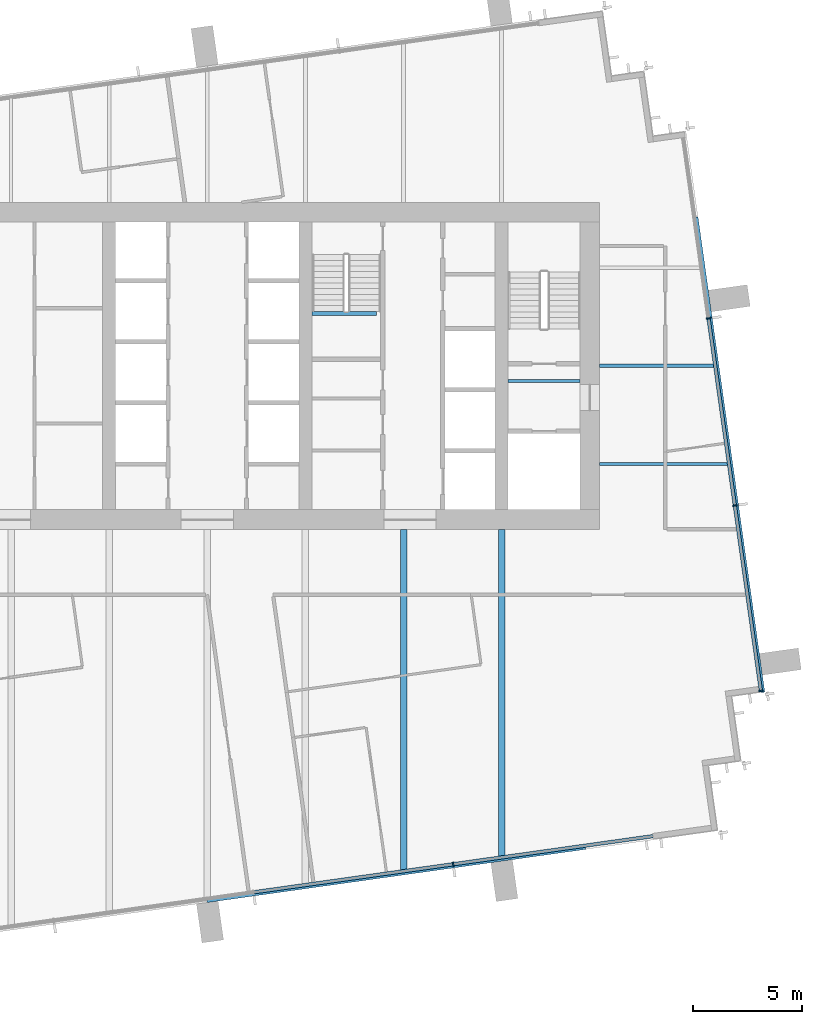
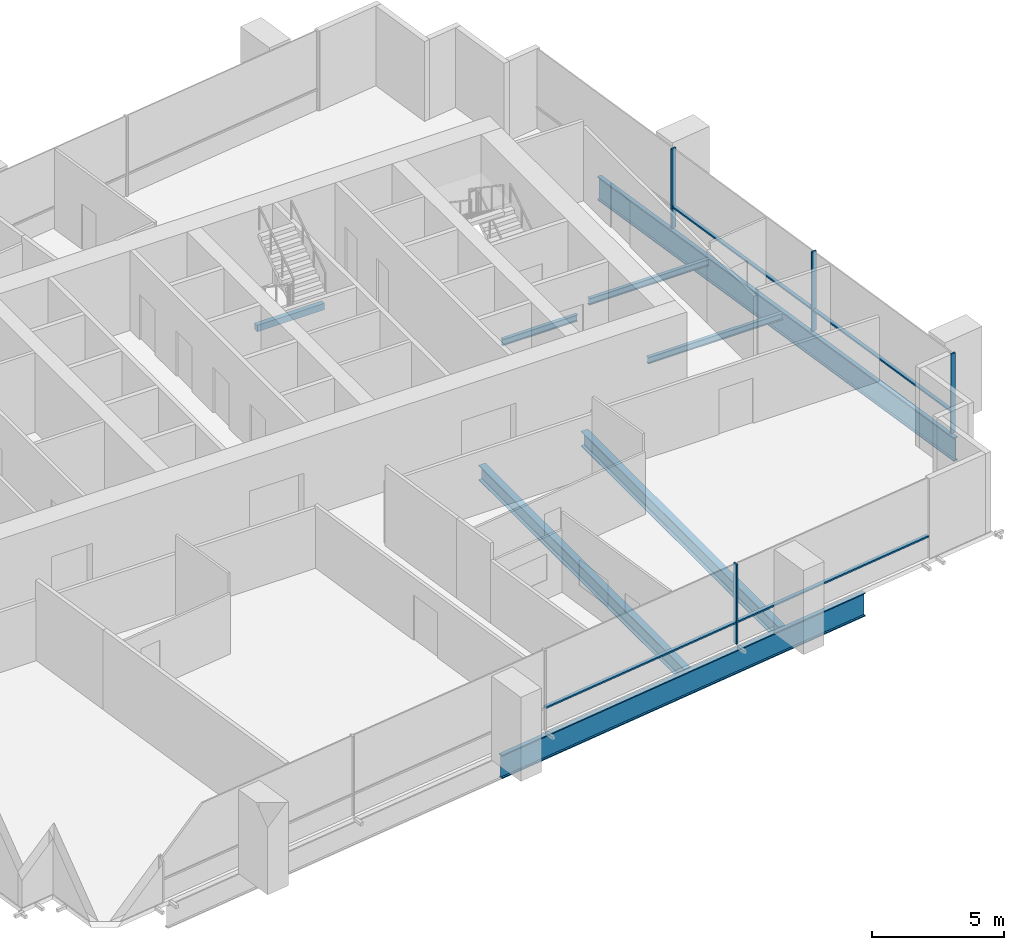
# One storey, part 4 of 12: 8 beams, 8 members, 2 elements without a shape of their own.
"""IFC4 building model written with IfcOpenShell, lengths in metres."""

from ifc_helpers import new_model, si_unit, direction, frame, origin, origin_2d, place, context, subcontext, project, spatial, rectangle, i_section, extrude, material, layer, layer_set, material_profile, profile_set, type_object, element, aggregate, save


model = new_model("IFC4")

# Units and contexts
model_context = context("Model", 3, precision=1e-05, world=origin(), true_north=direction((0.0, 1.0)))
body_context = subcontext(model_context, "Body", "Model", "MODEL_VIEW")
ifc_project = project(units=[si_unit("LENGTHUNIT", "METRE"), si_unit("AREAUNIT", "SQUARE_METRE"), si_unit("VOLUMEUNIT", "CUBIC_METRE"), si_unit("PLANEANGLEUNIT", "RADIAN"), si_unit("MASSUNIT", "GRAM", prefix="KILO")], contexts=[model_context])

# Site, building, storey
site_placement = place(None, origin())
site = spatial("IfcSite", under=ifc_project, at=site_placement, CompositionType="ELEMENT")
building_placement = place(site_placement, origin())
building = spatial("IfcBuilding", under=site, at=building_placement, Name="Rattan Terrace Tower", CompositionType="ELEMENT")
storey_placement = place(building_placement, frame((0.0, 0.0, 282.39990234375)))
storey = spatial("IfcBuildingStorey", under=building, at=storey_placement, Name="L65", CompositionType="ELEMENT", Elevation=282.39990234375)

# Beams
ifc_material_1 = material(Name="Concrete C40/50", Category="concrete")
ifc_material_profile_1 = material_profile(ifc_material_1, rectangle(XDim=0.199951171875, YDim=0.300048828125, at=origin_2d()), Name="RC 200x300")
ifc_profile_set_1 = profile_set([ifc_material_profile_1], Name="Concrete C40/50")
beam_type_1 = type_object("IfcBeamType", Name="Core landing beam RC 200x300", PredefinedType="BEAM", material=ifc_profile_set_1)
beam_1_placement = place(storey_placement, frame((4.800048828125, 2.39990234375, 1.60009765625), z_axis=(1.0, 0.0, 0.0), x_axis=(0.0, 1.0, 0.0)))
element("IfcBeam", 1, at=beam_1_placement, inside=storey, type_object=beam_type_1, Name="st-S3-L65 landing 1 edge beam", PredefinedType="BEAM", context=body_context, shape_type="SweptSolid", body=[
    extrude(rectangle(XDim=0.199951171875, YDim=0.300048828125, at=origin_2d()), origin(), (0.0, 0.0, 1.0), 2.949951171875),
])
ifc_material_2 = material(Name="Steel S460", Category="steel")
ifc_material_profile_2 = material_profile(ifc_material_2, i_section(OverallWidth=0.179931640625, OverallDepth=1.10009765625, WebThickness=0.01611328125, FlangeThickness=0.050048828125, at=origin_2d()), Name="PG 1100x180-16-50")
ifc_profile_set_2 = profile_set([ifc_material_profile_2], Name="Steel S460")
beam_type_2 = type_object("IfcBeamType", Name="Frame edge girder PG 1100x180-16-50", PredefinedType="SPANDREL", material=ifc_profile_set_2)
beam_2_placement = place(storey_placement, frame((17.347900390625, -22.087890625, -0.75), z_axis=(-0.990265878298, -0.139188685889, 0.0), x_axis=(0.139188685889, -0.990265878298, 0.0)))
element("IfcBeam", 2, at=beam_2_placement, inside=storey, type_object=beam_type_2, Name="gdr-L65-002", PredefinedType="SPANDREL", context=body_context, shape_type="SweptSolid", body=[
    extrude(i_section(OverallWidth=0.179931640625, OverallDepth=1.10009765625, WebThickness=0.01611328125, FlangeThickness=0.050048828125, at=origin_2d()), origin(), (0.0, 0.0, 1.0), 17.531494140625),
])
beam_3_placement = place(storey_placement, frame((22.4189453125, 6.822998046875, -0.75), z_axis=(0.139180574959, -0.990267018311, 0.0), x_axis=(0.990267018311, 0.139180574959, 0.0)))
element("IfcBeam", 3, at=beam_3_placement, inside=storey, type_object=beam_type_2, Name="gdr-L65-004", PredefinedType="SPANDREL", context=body_context, shape_type="SweptSolid", body=[
    extrude(i_section(OverallWidth=0.179931640625, OverallDepth=1.10009765625, WebThickness=0.01611328125, FlangeThickness=0.050048828125, at=origin_2d()), origin(), (0.0, 0.0, 1.0), 22.014404296875),
])
ifc_material_3 = material(Name="Steel S355", Category="steel")
ifc_material_profile_3 = material_profile(ifc_material_3, i_section(OverallWidth=0.300048828125, OverallDepth=0.699951171875, WebThickness=0.01708984375, FlangeThickness=0.031982421875, FilletRadius=0.027099609375, at=origin_2d()), Name="HE 700 B")
ifc_profile_set_3 = profile_set([ifc_material_profile_3], Name="Steel S355")
beam_type_3 = type_object("IfcBeamType", Name="Frame floor beam HE 700 B", PredefinedType="JOIST", material=ifc_profile_set_3)
beam_4_placement = place(storey_placement, frame((9.0, -23.14892578125, -0.5498046875), z_axis=(0.0, 1.0, 0.0), x_axis=(-1.0, 0.0, 0.0)))
element("IfcBeam", 4, at=beam_4_placement, inside=storey, type_object=beam_type_3, Name="bm-L65-008", PredefinedType="JOIST", context=body_context, shape_type="SweptSolid", body=[
    extrude(i_section(OverallWidth=0.300048828125, OverallDepth=0.699951171875, WebThickness=0.01708984375, FlangeThickness=0.031982421875, FilletRadius=0.027099609375, at=origin_2d()), origin(), (0.0, 0.0, 1.0), 15.64892578125),
])
beam_5_placement = place(storey_placement, frame((13.5, -22.51708984375, -0.5498046875), z_axis=(0.0, 1.0, 0.0), x_axis=(-1.0, 0.0, 0.0)))
element("IfcBeam", 5, at=beam_5_placement, inside=storey, type_object=beam_type_3, Name="bm-L65-009", PredefinedType="JOIST", context=body_context, shape_type="SweptSolid", body=[
    extrude(i_section(OverallWidth=0.300048828125, OverallDepth=0.699951171875, WebThickness=0.01708984375, FlangeThickness=0.031982421875, FilletRadius=0.027099609375, at=origin_2d()), origin(), (0.0, 0.0, 1.0), 15.01708984375),
])
ifc_material_4 = material(Name="Steel S355", Category="steel")
ifc_material_profile_4 = material_profile(ifc_material_4, i_section(OverallWidth=0.14990234375, OverallDepth=0.300048828125, WebThickness=0.007080078125, FlangeThickness=0.0107421875, FilletRadius=0.014892578125, at=origin_2d()), Name="IPE 300")
ifc_profile_set_4 = profile_set([ifc_material_profile_4], Name="Steel S355")
beam_type_4 = type_object("IfcBeamType", Name="Frame floor beam IPE 300", PredefinedType="JOIST", material=ifc_profile_set_4)
beam_6_placement = place(storey_placement, frame((13.800048828125, -0.695068359375, -0.349853515625), z_axis=(1.0, 0.0, 0.0), x_axis=(0.0, 1.0, 0.0)))
element("IfcBeam", 6, at=beam_6_placement, inside=storey, type_object=beam_type_4, Name="bm-L65-002", PredefinedType="JOIST", context=body_context, shape_type="SweptSolid", body=[
    extrude(i_section(OverallWidth=0.14990234375, OverallDepth=0.300048828125, WebThickness=0.007080078125, FlangeThickness=0.0107421875, FilletRadius=0.014892578125, at=origin_2d()), origin(), (0.0, 0.0, 1.0), 3.300048828125),
])
beam_7_placement = place(storey_placement, frame((18.0, -4.5, -0.349853515625), z_axis=(1.0, 0.0, 0.0), x_axis=(0.0, 1.0, 0.0)))
element("IfcBeam", 7, at=beam_7_placement, inside=storey, type_object=beam_type_4, Name="bm-L65-011", PredefinedType="JOIST", context=body_context, shape_type="SweptSolid", body=[
    extrude(i_section(OverallWidth=0.14990234375, OverallDepth=0.300048828125, WebThickness=0.007080078125, FlangeThickness=0.0107421875, FilletRadius=0.014892578125, at=origin_2d()), origin(), (0.0, 0.0, 1.0), 5.908935546875),
])
beam_8_placement = place(storey_placement, frame((18.0, 0.0, -0.349853515625), z_axis=(1.0, 0.0, 0.0), x_axis=(0.0, 1.0, 0.0)))
element("IfcBeam", 8, at=beam_8_placement, inside=storey, type_object=beam_type_4, Name="bm-L65-013", PredefinedType="JOIST", context=body_context, shape_type="SweptSolid", body=[
    extrude(i_section(OverallWidth=0.14990234375, OverallDepth=0.300048828125, WebThickness=0.007080078125, FlangeThickness=0.0107421875, FilletRadius=0.014892578125, at=origin_2d()), origin(), (0.0, 0.0, 1.0), 5.277099609375),
])

# Curtain wall, members
ifc_material_5 = material(Name="Aluminium and laminated glass", Category="aluminium")
ifc_layer = layer(ifc_material_5, 0.199951171875)
ifc_layer_set = layer_set([ifc_layer], Name="High-Zone Unitised Curtain Wall")
curtain_wall_type = type_object("IfcCurtainWallType", Name="High-Zone Unitised Curtain Wall", PredefinedType="NOTDEFINED", material=ifc_layer_set)
curtain_wall_1_placement = place(storey_placement, origin())
curtain_wall_1 = element("IfcCurtainWall", 9, at=curtain_wall_1_placement, inside=storey, type_object=curtain_wall_type, Name="High-zone curtain wall L65-1", PredefinedType="NOTDEFINED")
ifc_material_6 = material(Name="Aluminium", Category="aluminium")
ifc_material_profile_5 = material_profile(ifc_material_6, rectangle(XDim=0.070068359375, YDim=0.199951171875, at=origin_2d()), Name="Aluminium 70x200")
ifc_profile_set_5 = profile_set([ifc_material_profile_5], Name="Aluminium")
member_type_1 = type_object("IfcMemberType", Name="High-Zone CW Mullion 70x200", PredefinedType="MULLION", material=ifc_profile_set_5)
member_1_placement = place(storey_placement, frame((25.3916015625, -14.908447265625, 0.0), z_axis=(0.0, 0.0, 1.0), x_axis=(-0.139191775431, 0.990265444036, 0.0)))
member_1 = element("IfcMember", 10, at=member_1_placement, type_object=member_type_1, Name="Mullion cwl-L65-001.1", PredefinedType="MULLION", context=body_context, shape_type="SweptSolid", body=[
    extrude(rectangle(XDim=0.070068359375, YDim=0.199951171875, at=origin_2d()), origin(), (0.0, 0.0, 1.0), 3.7001953125),
])
member_2_placement = place(storey_placement, frame((24.1962890625, -6.405029296875, 0.0), z_axis=(0.0, 0.0, 1.0), x_axis=(-0.139191775431, 0.990265444036, 0.0)))
member_2 = element("IfcMember", 11, at=member_2_placement, type_object=member_type_1, Name="Mullion cwl-L65-001.2", PredefinedType="MULLION", context=body_context, shape_type="SweptSolid", body=[
    extrude(rectangle(XDim=0.070068359375, YDim=0.199951171875, at=origin_2d()), origin(), (0.0, 0.0, 1.0), 3.7001953125),
])
member_3_placement = place(storey_placement, frame((22.989990234375, 2.177490234375, 0.0), z_axis=(0.0, 0.0, 1.0), x_axis=(-0.139191775431, 0.990265444036, 0.0)))
member_3 = element("IfcMember", 12, at=member_3_placement, type_object=member_type_1, Name="Mullion cwl-L65-001.3", PredefinedType="MULLION", context=body_context, shape_type="SweptSolid", body=[
    extrude(rectangle(XDim=0.070068359375, YDim=0.199951171875, at=origin_2d()), origin(), (0.0, 0.0, 1.0), 3.7001953125),
])

# Curtain wall, member
curtain_wall_2_placement = place(storey_placement, origin())
curtain_wall_2 = element("IfcCurtainWall", 13, at=curtain_wall_2_placement, inside=storey, type_object=curtain_wall_type, Name="High-zone curtain wall L65-4", PredefinedType="NOTDEFINED")
member_4_placement = place(storey_placement, frame((11.27734375, -22.859619140625, 0.0), z_axis=(0.0, 0.0, 1.0), x_axis=(0.990265894013, 0.139188574079, 0.0)))
member_4 = element("IfcMember", 14, at=member_4_placement, type_object=member_type_1, Name="Mullion cwl-L65-004.4", PredefinedType="MULLION", context=body_context, shape_type="SweptSolid", body=[
    extrude(rectangle(XDim=0.070068359375, YDim=0.199951171875, at=origin_2d()), origin(), (0.0, 0.0, 1.0), 3.7001953125),
])

# Member
ifc_material_7 = material(Name="Aluminium", Category="aluminium")
ifc_material_profile_6 = material_profile(ifc_material_7, rectangle(XDim=0.159912109375, YDim=0.070068359375, at=origin_2d()), Name="Aluminium 160x70")
ifc_profile_set_6 = profile_set([ifc_material_profile_6], Name="Aluminium")
member_type_2 = type_object("IfcMemberType", Name="High-Zone CW Transom 160x70", PredefinedType="USERDEFINED", material=ifc_profile_set_6)
member_5_placement = place(storey_placement, frame((25.38671875, -14.873779296875, 1.0), z_axis=(-0.139197734293, 0.99026460644, 0.0), x_axis=(-0.99026460644, -0.139197734293, 0.0)))
member_5 = element("IfcMember", 15, at=member_5_placement, type_object=member_type_2, Name="Transom cwl-L65-001.1", ObjectType="TRANSOM", PredefinedType="USERDEFINED", context=body_context, shape_type="SweptSolid", body=[
    extrude(rectangle(XDim=0.159912109375, YDim=0.070068359375, at=origin_2d()), origin(), (0.0, 0.0, 1.0), 8.51708984375),
])

member_6_placement = place(storey_placement, frame((24.19140625, -6.370361328125, 1.0), z_axis=(-0.139182599995, 0.990266733693, 0.0), x_axis=(-0.990266733693, -0.139182599995, 0.0)))
member_6 = element("IfcMember", 16, at=member_6_placement, type_object=member_type_2, Name="Transom cwl-L65-001.2", ObjectType="TRANSOM", PredefinedType="USERDEFINED", context=body_context, shape_type="SweptSolid", body=[
    extrude(rectangle(XDim=0.159912109375, YDim=0.070068359375, at=origin_2d()), origin(), (0.0, 0.0, 1.0), 8.596923828125),
])

aggregate(curtain_wall_1, [member_1, member_2, member_3, member_5, member_6])

member_7_placement = place(storey_placement, frame((2.15283203125, -24.14208984375, 1.0), z_axis=(0.990266662415, 0.139183107123, 0.0), x_axis=(-0.139183107123, 0.990266662415, 0.0)))
member_7 = element("IfcMember", 17, at=member_7_placement, type_object=member_type_2, Name="Transom cwl-L65-004.3", ObjectType="TRANSOM", PredefinedType="USERDEFINED", context=body_context, shape_type="SweptSolid", body=[
    extrude(rectangle(XDim=0.159912109375, YDim=0.070068359375, at=origin_2d()), origin(), (0.0, 0.0, 1.0), 9.17919921875),
])

member_8_placement = place(storey_placement, frame((11.31201171875, -22.854736328125, 1.0), z_axis=(0.990263767768, 0.139203700545, 0.0), x_axis=(-0.139203700545, 0.990263767768, 0.0)))
member_8 = element("IfcMember", 18, at=member_8_placement, type_object=member_type_2, Name="Transom cwl-L65-004.4", ObjectType="TRANSOM", PredefinedType="USERDEFINED", context=body_context, shape_type="SweptSolid", body=[
    extrude(rectangle(XDim=0.159912109375, YDim=0.070068359375, at=origin_2d()), origin(), (0.0, 0.0, 1.0), 9.21826171875),
])

aggregate(curtain_wall_2, [member_4, member_7, member_8])

save(model, "model.ifc")
